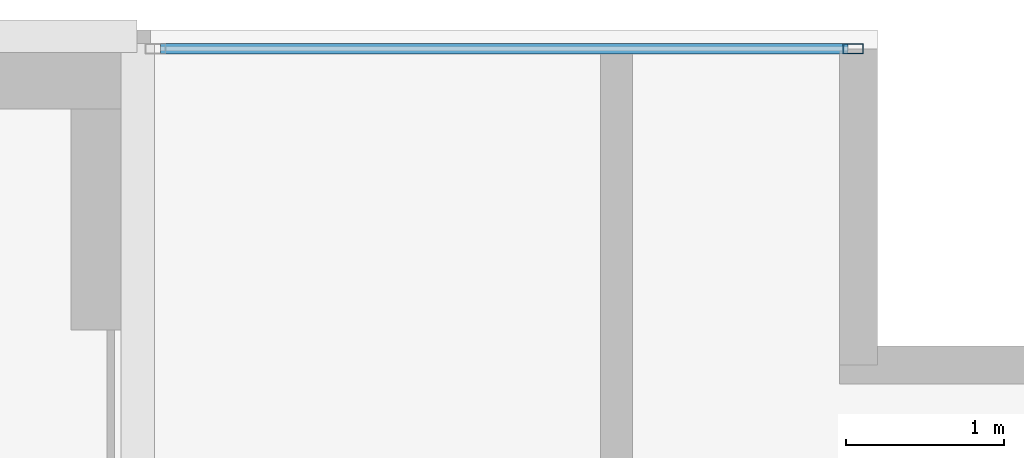
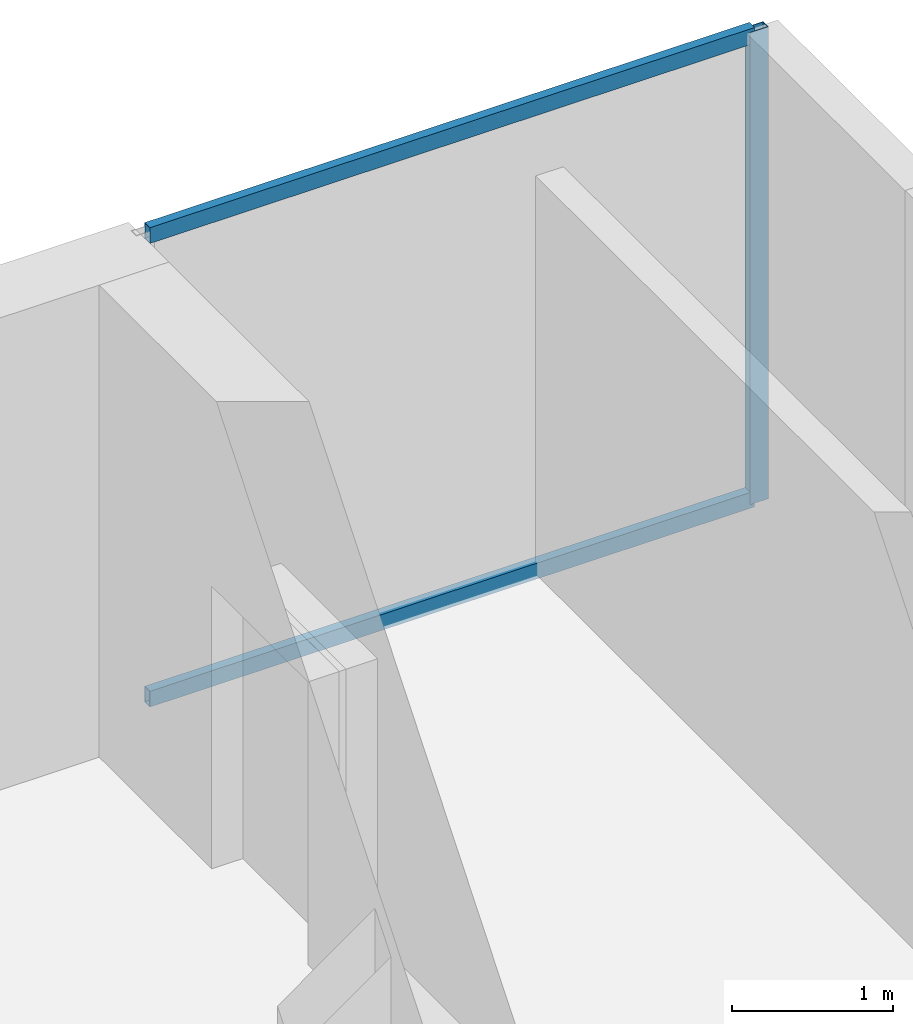
# One storey, part 12 of 15: 3 members, 1 element without a shape of its own.
"""IFC4 building model written with IfcOpenShell, lengths in metres."""

import ifcopenshell
import ifcopenshell.guid

model = None  # the IFC model being written
_history = None  # IfcOwnerHistory: only IFC2X3 demands one
_inside = {}  # id of a spatial element -> (the spatial element, [elements in it])
_under = {}  # id of a project, library or spatial element -> (it, [spatial elements below it])
_declared = {}  # id of a project -> (the project, [libraries it declares])
_typed = {}  # id of a type object -> (the type object, [elements of that type])
_made_of = {}  # id of a material, layer set ... -> (it, [elements and type objects made of it])


def new_model(schema):
    """Start an empty IFC model of exactly this schema.

    Asked for "IFC4X3", IfcOpenShell would pick the latest addendum, in which some entities
    have other attributes; the version numbers below select the first issue.
    IFC2X3 requires an IfcOwnerHistory on every rooted entity: one is made here for all.
    """
    global model, _history
    if schema == "IFC4X3":
        model = ifcopenshell.file(schema_version=(4, 3, 0, 0))
    else:
        model = ifcopenshell.file(schema=schema)
    _inside.clear()
    _under.clear()
    _declared.clear()
    _typed.clear()
    _made_of.clear()
    _history = None
    if model.schema == "IFC2X3":
        org = make("IfcOrganization", Name="unknown")
        user = make(
            "IfcPersonAndOrganization",
            ThePerson=make("IfcPerson", FamilyName="unknown"),
            TheOrganization=org,
        )
        app = make(
            "IfcApplication",
            ApplicationDeveloper=org,
            Version="unknown",
            ApplicationFullName="unknown",
            ApplicationIdentifier="unknown",
        )
        _history = make(
            "IfcOwnerHistory",
            OwningUser=user,
            OwningApplication=app,
            ChangeAction="ADDED",
            CreationDate=0,
        )
    return model


def make(cls, **values):
    """One entity of the class cls with the attributes given. An attribute that is None is left unset."""
    return model.create_entity(
        cls, **{name: value for name, value in values.items() if value is not None}
    )


def rooted(cls, **values):
    """An entity with a GlobalId (a new one), such as an element, a storey or a relation."""
    return make(cls, GlobalId=ifcopenshell.guid.new(), OwnerHistory=_history, **values)


def si_unit(unit_type, name, prefix=None):
    """IfcSIUnit, for example si_unit("LENGTHUNIT", "METRE", prefix="MILLI")."""
    return make("IfcSIUnit", UnitType=unit_type, Prefix=prefix, Name=name)


def assignment(units):
    """IfcUnitAssignment: the units of a project."""
    return None if units is None else make("IfcUnitAssignment", Units=units)


def point(xyz):
    """IfcCartesianPoint."""
    return None if xyz is None else make("IfcCartesianPoint", Coordinates=xyz)


def direction(xyz):
    """IfcDirection."""
    return None if xyz is None else make("IfcDirection", DirectionRatios=xyz)


def frame(location, z_axis=None, x_axis=None):
    """IfcAxis2Placement3D, a coordinate frame: its origin and axes. An axis left out is left unset."""
    return make(
        "IfcAxis2Placement3D",
        Location=point(location),
        Axis=direction(z_axis),
        RefDirection=direction(x_axis),
    )


def frame_2d(location, x_axis=None):
    """IfcAxis2Placement2D, a coordinate frame in the plane: its origin and x axis."""
    return make(
        "IfcAxis2Placement2D", Location=point(location), RefDirection=direction(x_axis)
    )


def origin():
    """The frame at (0, 0, 0) with its axes left unset."""
    return frame((0.0, 0.0, 0.0))


def origin_2d():
    """The frame at (0, 0) in the plane with its x axis left unset."""
    return frame_2d((0.0, 0.0))


def place(relative_to, where):
    """IfcLocalPlacement: puts the frame where relative to a parent placement (None: the world)."""
    return make(
        "IfcLocalPlacement", PlacementRelTo=relative_to, RelativePlacement=where
    )


def context(
    kind, dimensions, precision=None, world=None, true_north=None, identifier=None
):
    """IfcGeometricRepresentationContext, for example the 3D "Model" context."""
    return make(
        "IfcGeometricRepresentationContext",
        ContextIdentifier=identifier,
        ContextType=kind,
        CoordinateSpaceDimension=dimensions,
        Precision=precision,
        WorldCoordinateSystem=world,
        TrueNorth=true_north,
    )


def subcontext(parent, identifier, kind, view, scale=None):
    """IfcGeometricRepresentationSubContext, for example "Body" below "Model"."""
    return make(
        "IfcGeometricRepresentationSubContext",
        ContextIdentifier=identifier,
        ContextType=kind,
        ParentContext=parent,
        TargetScale=scale,
        TargetView=view,
    )


def project(units=None, contexts=None):
    """IfcProject with its units and contexts."""
    return rooted(
        "IfcProject",
        Name="project",
        RepresentationContexts=contexts,
        UnitsInContext=assignment(units),
    )


def spatial(cls, under=None, at=None, **own):
    """A site, building, storey or space (cls), placed at a placement, below another one or the project."""
    s = rooted(cls, ObjectPlacement=at, **own)
    if under is not None:
        _under.setdefault(under.id(), (under, []))[1].append(s)
    return s


def profile(cls, at=None, kind="AREA", **sizes):
    """A parametric profile (cls). Its sizes go by their IFC names, for example OverallWidth=200.0."""
    return make(cls, ProfileType=kind, Position=at, **sizes)


def hollow_rectangle(**sizes):
    """IfcRectangleHollowProfileDef."""
    return profile("IfcRectangleHollowProfileDef", **sizes)


def extrude(swept, where, along, depth):
    """IfcExtrudedAreaSolid: the profile swept, set in the frame where, extruded along a direction by depth."""
    return make(
        "IfcExtrudedAreaSolid",
        SweptArea=swept,
        Position=where,
        ExtrudedDirection=direction(along),
        Depth=depth,
    )


def shape(context_of_items, identifier, shape_type, items):
    """IfcShapeRepresentation: the items that make up one representation, for example the "Body"."""
    return make(
        "IfcShapeRepresentation",
        ContextOfItems=context_of_items,
        RepresentationIdentifier=identifier,
        RepresentationType=shape_type,
        Items=items,
    )


def material(Name=None, Category=None):
    """IfcMaterial."""
    return make("IfcMaterial", Name=Name, Category=Category)


def material_profile(
    of_material, cross_section, Name=None, Category=None, Priority=None
):
    """IfcMaterialProfile: a cross section and its material."""
    return make(
        "IfcMaterialProfile",
        Name=Name,
        Material=of_material,
        Profile=cross_section,
        Priority=Priority,
        Category=Category,
    )


def profile_set(profiles, Name=None, composite=None):
    """IfcMaterialProfileSet."""
    return make(
        "IfcMaterialProfileSet",
        Name=Name,
        MaterialProfiles=profiles,
        CompositeProfile=composite,
    )


def made_of(thing, what):
    """Note that an element or type object is made of a material, layer set ...; save() writes the relation."""
    if what is not None:
        _made_of.setdefault(what.id(), (what, []))[1].append(thing)
    return thing


def type_object(cls, material=None, **own):
    """A type object (cls), such as IfcWallType, which elements share."""
    return made_of(rooted(cls, **own), material)


def element(
    cls,
    number,
    at=None,
    inside=None,
    cuts=None,
    type_object=None,
    material=None,
    context=None,
    identifier="Body",
    shape_type=None,
    held_by="IfcProductDefinitionShape",
    body=None,
    shapes=None,
    **own,
):
    """One element of the class cls, such as IfcWall. Its Tag is "e" and its number.

    at: its placement. inside: the storey or other place that contains it. cuts: it is an
    opening in that element (IfcRelVoidsElement). A single representation is given by context,
    identifier, shape_type and body (its items); several are given by shapes. held_by: the class
    of the entity that holds the representations. save() writes the other relations.
    """
    e = rooted(cls, Tag="e%d" % number, ObjectPlacement=at, **own)
    if body is not None:
        shapes = [shape(context, identifier, shape_type, body)]
    if shapes is not None:
        e.Representation = make(held_by, Representations=shapes)
    if inside is not None:
        _inside.setdefault(inside.id(), (inside, []))[1].append(e)
    if cuts is not None:
        rooted(
            "IfcRelVoidsElement", RelatingBuildingElement=cuts, RelatedOpeningElement=e
        )
    if type_object is not None:
        _typed.setdefault(type_object.id(), (type_object, []))[1].append(e)
    return made_of(e, material)


def aggregate(whole, parts):
    """IfcRelAggregates: a whole, such as a stair, and the parts it consists of."""
    return rooted("IfcRelAggregates", RelatingObject=whole, RelatedObjects=parts)


def save(model, path):
    """Write the relations noted so far, then the file.

    IfcRelAggregates (storeys below a building ...), IfcRelContainedInSpatialStructure (elements
    in a storey), IfcRelDefinesByType, IfcRelAssociatesMaterial and IfcRelDeclares: one each for
    every whole, place, type object, material and project.
    """
    for whole, parts in _under.values():
        aggregate(whole, parts)
    for where, things in _inside.values():
        rooted(
            "IfcRelContainedInSpatialStructure",
            RelatedElements=things,
            RelatingStructure=where,
        )
    for kind, things in _typed.values():
        rooted("IfcRelDefinesByType", RelatedObjects=things, RelatingType=kind)
    for what, things in _made_of.values():
        rooted("IfcRelAssociatesMaterial", RelatedObjects=things, RelatingMaterial=what)
    for by, libraries in _declared.values():
        rooted("IfcRelDeclares", RelatingContext=by, RelatedDefinitions=libraries)
    model.write(path)


model = new_model("IFC4")

# Units and contexts
model_context = context("Model", 3, precision=1e-05, world=origin(), true_north=direction((0.0, 1.0)))
body_context = subcontext(model_context, "Body", "Model", "MODEL_VIEW")
ifc_project = project(units=[si_unit("LENGTHUNIT", "METRE"), si_unit("AREAUNIT", "SQUARE_METRE"), si_unit("VOLUMEUNIT", "CUBIC_METRE"), si_unit("PLANEANGLEUNIT", "RADIAN"), si_unit("MASSUNIT", "GRAM", prefix="KILO")], contexts=[model_context])

# Site, building, storey
site_placement = place(None, origin())
site = spatial("IfcSite", under=ifc_project, at=site_placement, CompositionType="ELEMENT")
building_placement = place(site_placement, origin())
building = spatial("IfcBuilding", under=site, at=building_placement, Name="Cobrela Telecom Tower", CompositionType="ELEMENT")
storey_placement = place(building_placement, frame((0.0, 0.0, 297.5)))
storey = spatial("IfcBuildingStorey", under=building, at=storey_placement, Name="L78", CompositionType="ELEMENT", Elevation=297.5)

# Curtain wall, members
ifc_material = material(Name="Anodized Bronze Aluminium 6063-T6", Category="aluminium")
curtain_wall_type = type_object("IfcCurtainWallType", Name="CW-SYS-DRUM", PredefinedType="USERDEFINED", material=ifc_material)
curtain_wall_placement = place(storey_placement, origin())
curtain_wall = element("IfcCurtainWall", 1, at=curtain_wall_placement, inside=storey, type_object=curtain_wall_type, Name="L78 Unitised Bronze Curtain Wall 01", ObjectType="UNITISED CURTAIN WALL", PredefinedType="USERDEFINED")
ifc_material_profile_1 = material_profile(ifc_material, hollow_rectangle(XDim=0.06494140625, YDim=0.1298828125, WallThickness=0.00390625, at=origin_2d()), Name="ALU 65x130x4")
ifc_profile_set_1 = profile_set([ifc_material_profile_1], Name="Anodized Bronze Aluminium 6063-T6")
member_type_1 = type_object("IfcMemberType", Name="CW-SYS-DRUM-MUL", PredefinedType="MULLION", material=ifc_profile_set_1)
member_1_placement = place(storey_placement, frame((18.847412109375, 35.8798828125, 0.0), z_axis=(0.0, 0.0, 1.0), x_axis=(0.0, 1.0, 0.0)))
member_1 = element("IfcMember", 2, at=member_1_placement, type_object=member_type_1, Name="CW-DRUM mullion 2", PredefinedType="MULLION", context=body_context, shape_type="SweptSolid", body=[
    extrude(hollow_rectangle(XDim=0.06494140625, YDim=0.1298828125, WallThickness=0.00390625, at=origin_2d()), origin(), (0.0, 0.0, 1.0), 3.590087890625),
])
ifc_material_profile_2 = material_profile(ifc_material, hollow_rectangle(XDim=0.06494140625, YDim=0.1201171875, WallThickness=0.00390625, at=origin_2d()), Name="ALU 65x120x4")
ifc_profile_set_2 = profile_set([ifc_material_profile_2], Name="Anodized Bronze Aluminium 6063-T6")
member_type_2 = type_object("IfcMemberType", Name="CW-SYS-DRUM-TRN", PredefinedType="USERDEFINED", material=ifc_profile_set_2)
member_2_placement = place(storey_placement, frame((14.465087890625, 35.8798828125, 0.032470703125), z_axis=(1.0, 0.0, 0.0), x_axis=(0.0, 1.0, 0.0)))
member_2 = element("IfcMember", 3, at=member_2_placement, type_object=member_type_2, Name="CW-DRUM transom 1.1", ObjectType="TRANSOM", PredefinedType="USERDEFINED", context=body_context, shape_type="SweptSolid", body=[
    extrude(hollow_rectangle(XDim=0.06494140625, YDim=0.1201171875, WallThickness=0.00390625, at=origin_2d()), origin(), (0.0, 0.0, 1.0), 4.349853515625),
])
member_3_placement = place(storey_placement, frame((14.465087890625, 35.8798828125, 3.5576171875), z_axis=(1.0, 0.0, 0.0), x_axis=(0.0, 1.0, 0.0)))
member_3 = element("IfcMember", 4, at=member_3_placement, type_object=member_type_2, Name="CW-DRUM transom 1.2", ObjectType="TRANSOM", PredefinedType="USERDEFINED", context=body_context, shape_type="SweptSolid", body=[
    extrude(hollow_rectangle(XDim=0.06494140625, YDim=0.1201171875, WallThickness=0.00390625, at=origin_2d()), origin(), (0.0, 0.0, 1.0), 4.349853515625),
])
aggregate(curtain_wall, [member_1, member_2, member_3])

save(model, "model.ifc")
